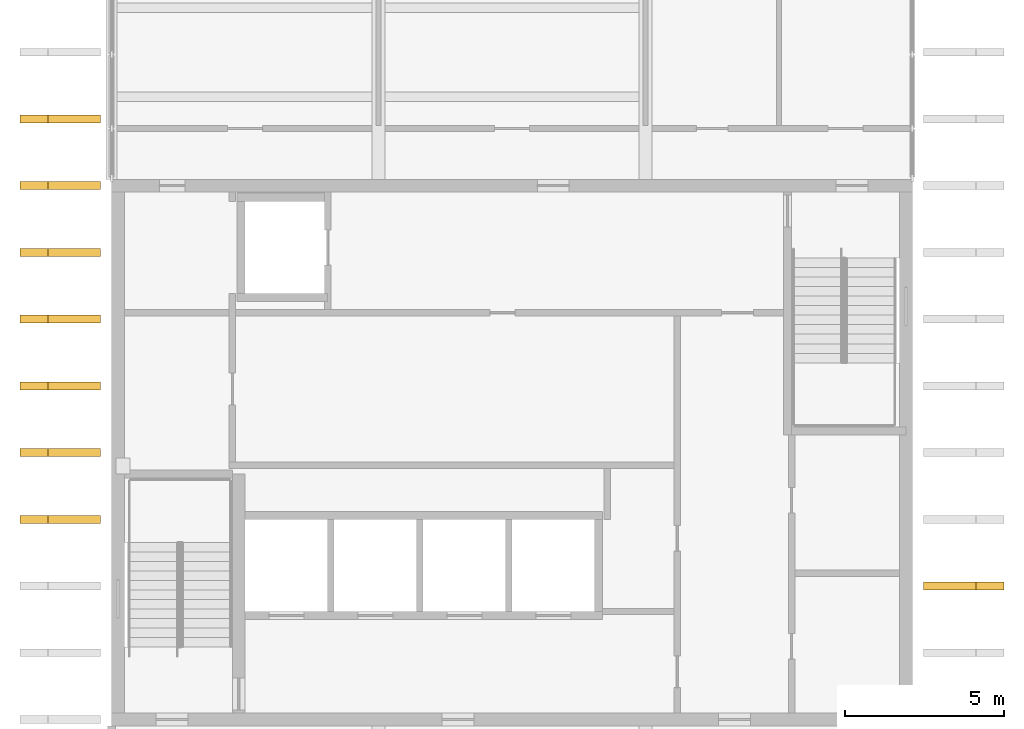
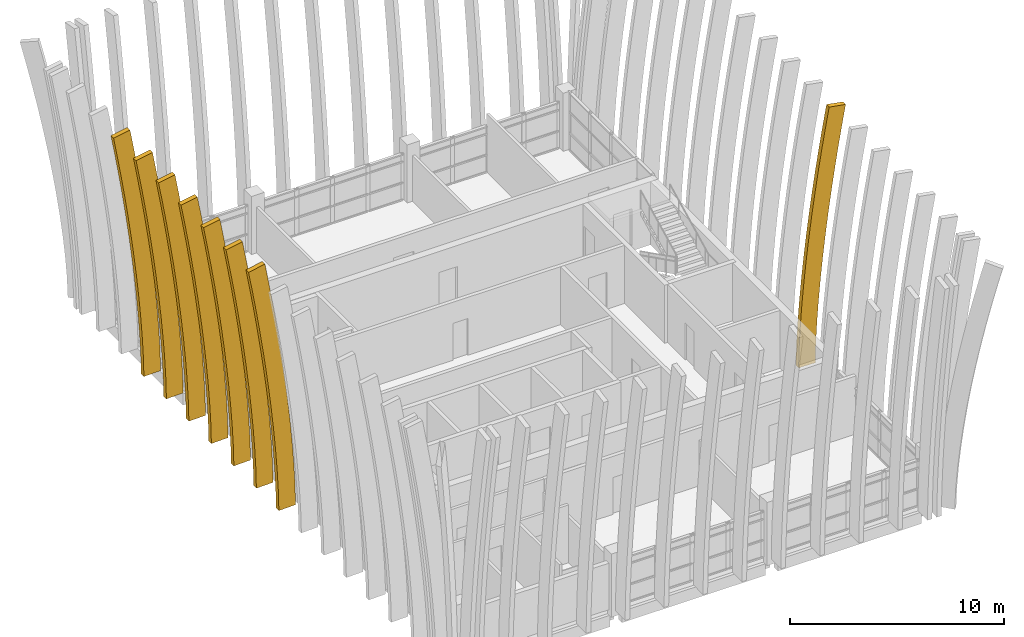
# One storey, part 13 of 19: 8 shading devices.
"""IFC4 building model written with IfcOpenShell, lengths in metres."""

import ifcopenshell
import ifcopenshell.guid

model = None  # the IFC model being written
_history = None  # IfcOwnerHistory: only IFC2X3 demands one
_inside = {}  # id of a spatial element -> (the spatial element, [elements in it])
_under = {}  # id of a project, library or spatial element -> (it, [spatial elements below it])
_declared = {}  # id of a project -> (the project, [libraries it declares])
_typed = {}  # id of a type object -> (the type object, [elements of that type])
_made_of = {}  # id of a material, layer set ... -> (it, [elements and type objects made of it])


def new_model(schema):
    """Start an empty IFC model of exactly this schema.

    Asked for "IFC4X3", IfcOpenShell would pick the latest addendum, in which some entities
    have other attributes; the version numbers below select the first issue.
    IFC2X3 requires an IfcOwnerHistory on every rooted entity: one is made here for all.
    """
    global model, _history
    if schema == "IFC4X3":
        model = ifcopenshell.file(schema_version=(4, 3, 0, 0))
    else:
        model = ifcopenshell.file(schema=schema)
    _inside.clear()
    _under.clear()
    _declared.clear()
    _typed.clear()
    _made_of.clear()
    _history = None
    if model.schema == "IFC2X3":
        org = make("IfcOrganization", Name="unknown")
        user = make(
            "IfcPersonAndOrganization",
            ThePerson=make("IfcPerson", FamilyName="unknown"),
            TheOrganization=org,
        )
        app = make(
            "IfcApplication",
            ApplicationDeveloper=org,
            Version="unknown",
            ApplicationFullName="unknown",
            ApplicationIdentifier="unknown",
        )
        _history = make(
            "IfcOwnerHistory",
            OwningUser=user,
            OwningApplication=app,
            ChangeAction="ADDED",
            CreationDate=0,
        )
    return model


def make(cls, **values):
    """One entity of the class cls with the attributes given. An attribute that is None is left unset."""
    return model.create_entity(
        cls, **{name: value for name, value in values.items() if value is not None}
    )


def rooted(cls, **values):
    """An entity with a GlobalId (a new one), such as an element, a storey or a relation."""
    return make(cls, GlobalId=ifcopenshell.guid.new(), OwnerHistory=_history, **values)


def si_unit(unit_type, name, prefix=None):
    """IfcSIUnit, for example si_unit("LENGTHUNIT", "METRE", prefix="MILLI")."""
    return make("IfcSIUnit", UnitType=unit_type, Prefix=prefix, Name=name)


def assignment(units):
    """IfcUnitAssignment: the units of a project."""
    return None if units is None else make("IfcUnitAssignment", Units=units)


def point(xyz):
    """IfcCartesianPoint."""
    return None if xyz is None else make("IfcCartesianPoint", Coordinates=xyz)


def direction(xyz):
    """IfcDirection."""
    return None if xyz is None else make("IfcDirection", DirectionRatios=xyz)


def frame(location, z_axis=None, x_axis=None):
    """IfcAxis2Placement3D, a coordinate frame: its origin and axes. An axis left out is left unset."""
    return make(
        "IfcAxis2Placement3D",
        Location=point(location),
        Axis=direction(z_axis),
        RefDirection=direction(x_axis),
    )


def frame_2d(location, x_axis=None):
    """IfcAxis2Placement2D, a coordinate frame in the plane: its origin and x axis."""
    return make(
        "IfcAxis2Placement2D", Location=point(location), RefDirection=direction(x_axis)
    )


def origin():
    """The frame at (0, 0, 0) with its axes left unset."""
    return frame((0.0, 0.0, 0.0))


def origin_2d():
    """The frame at (0, 0) in the plane with its x axis left unset."""
    return frame_2d((0.0, 0.0))


def place(relative_to, where):
    """IfcLocalPlacement: puts the frame where relative to a parent placement (None: the world)."""
    return make(
        "IfcLocalPlacement", PlacementRelTo=relative_to, RelativePlacement=where
    )


def context(
    kind, dimensions, precision=None, world=None, true_north=None, identifier=None
):
    """IfcGeometricRepresentationContext, for example the 3D "Model" context."""
    return make(
        "IfcGeometricRepresentationContext",
        ContextIdentifier=identifier,
        ContextType=kind,
        CoordinateSpaceDimension=dimensions,
        Precision=precision,
        WorldCoordinateSystem=world,
        TrueNorth=true_north,
    )


def subcontext(parent, identifier, kind, view, scale=None):
    """IfcGeometricRepresentationSubContext, for example "Body" below "Model"."""
    return make(
        "IfcGeometricRepresentationSubContext",
        ContextIdentifier=identifier,
        ContextType=kind,
        ParentContext=parent,
        TargetScale=scale,
        TargetView=view,
    )


def project(units=None, contexts=None):
    """IfcProject with its units and contexts."""
    return rooted(
        "IfcProject",
        Name="project",
        RepresentationContexts=contexts,
        UnitsInContext=assignment(units),
    )


def spatial(cls, under=None, at=None, **own):
    """A site, building, storey or space (cls), placed at a placement, below another one or the project."""
    s = rooted(cls, ObjectPlacement=at, **own)
    if under is not None:
        _under.setdefault(under.id(), (under, []))[1].append(s)
    return s


def profile(cls, at=None, kind="AREA", **sizes):
    """A parametric profile (cls). Its sizes go by their IFC names, for example OverallWidth=200.0."""
    return make(cls, ProfileType=kind, Position=at, **sizes)


def rectangle(**sizes):
    """IfcRectangleProfileDef."""
    return profile("IfcRectangleProfileDef", **sizes)


def faces_of(points, faces, orient=None, outer=None):
    """IfcFace entities. A face is a list of loops; a loop is a list of indices into points, from 0.

    orient and outer hold one flag for each loop. By default every Orientation is true, the
    first loop of a face is its IfcFaceOuterBound and the others are IfcFaceBound.
    """
    made = []
    for i, loops in enumerate(faces):
        bounds = []
        for j, loop in enumerate(loops):
            is_outer = j == 0 if outer is None else outer[i][j]
            bounds.append(
                make(
                    "IfcFaceOuterBound" if is_outer else "IfcFaceBound",
                    Bound=make("IfcPolyLoop", Polygon=[points[k] for k in loop]),
                    Orientation=True if orient is None else orient[i][j],
                )
            )
        made.append(make("IfcFace", Bounds=bounds))
    return made


def faceted_brep(points, faces, orient=None, outer=None, voids=None):
    """IfcFacetedBrep: a solid bounded by flat faces; with voids (closed shells), ...WithVoids."""
    shared = [point(p) for p in points]
    hull = make("IfcClosedShell", CfsFaces=faces_of(shared, faces, orient, outer))
    if voids is None:
        return make("IfcFacetedBrep", Outer=hull)
    return make(
        "IfcFacetedBrepWithVoids",
        Outer=hull,
        Voids=[
            make(cls, CfsFaces=faces_of(shared, fs, o, b)) for cls, fs, o, b in voids
        ],
    )


def shape(context_of_items, identifier, shape_type, items):
    """IfcShapeRepresentation: the items that make up one representation, for example the "Body"."""
    return make(
        "IfcShapeRepresentation",
        ContextOfItems=context_of_items,
        RepresentationIdentifier=identifier,
        RepresentationType=shape_type,
        Items=items,
    )


def material(Name=None, Category=None):
    """IfcMaterial."""
    return make("IfcMaterial", Name=Name, Category=Category)


def material_profile(
    of_material, cross_section, Name=None, Category=None, Priority=None
):
    """IfcMaterialProfile: a cross section and its material."""
    return make(
        "IfcMaterialProfile",
        Name=Name,
        Material=of_material,
        Profile=cross_section,
        Priority=Priority,
        Category=Category,
    )


def profile_set(profiles, Name=None, composite=None):
    """IfcMaterialProfileSet."""
    return make(
        "IfcMaterialProfileSet",
        Name=Name,
        MaterialProfiles=profiles,
        CompositeProfile=composite,
    )


def made_of(thing, what):
    """Note that an element or type object is made of a material, layer set ...; save() writes the relation."""
    if what is not None:
        _made_of.setdefault(what.id(), (what, []))[1].append(thing)
    return thing


def type_object(cls, material=None, **own):
    """A type object (cls), such as IfcWallType, which elements share."""
    return made_of(rooted(cls, **own), material)


def element(
    cls,
    number,
    at=None,
    inside=None,
    cuts=None,
    type_object=None,
    material=None,
    context=None,
    identifier="Body",
    shape_type=None,
    held_by="IfcProductDefinitionShape",
    body=None,
    shapes=None,
    **own,
):
    """One element of the class cls, such as IfcWall. Its Tag is "e" and its number.

    at: its placement. inside: the storey or other place that contains it. cuts: it is an
    opening in that element (IfcRelVoidsElement). A single representation is given by context,
    identifier, shape_type and body (its items); several are given by shapes. held_by: the class
    of the entity that holds the representations. save() writes the other relations.
    """
    e = rooted(cls, Tag="e%d" % number, ObjectPlacement=at, **own)
    if body is not None:
        shapes = [shape(context, identifier, shape_type, body)]
    if shapes is not None:
        e.Representation = make(held_by, Representations=shapes)
    if inside is not None:
        _inside.setdefault(inside.id(), (inside, []))[1].append(e)
    if cuts is not None:
        rooted(
            "IfcRelVoidsElement", RelatingBuildingElement=cuts, RelatedOpeningElement=e
        )
    if type_object is not None:
        _typed.setdefault(type_object.id(), (type_object, []))[1].append(e)
    return made_of(e, material)


def aggregate(whole, parts):
    """IfcRelAggregates: a whole, such as a stair, and the parts it consists of."""
    return rooted("IfcRelAggregates", RelatingObject=whole, RelatedObjects=parts)


def save(model, path):
    """Write the relations noted so far, then the file.

    IfcRelAggregates (storeys below a building ...), IfcRelContainedInSpatialStructure (elements
    in a storey), IfcRelDefinesByType, IfcRelAssociatesMaterial and IfcRelDeclares: one each for
    every whole, place, type object, material and project.
    """
    for whole, parts in _under.values():
        aggregate(whole, parts)
    for where, things in _inside.values():
        rooted(
            "IfcRelContainedInSpatialStructure",
            RelatedElements=things,
            RelatingStructure=where,
        )
    for kind, things in _typed.values():
        rooted("IfcRelDefinesByType", RelatedObjects=things, RelatingType=kind)
    for what, things in _made_of.values():
        rooted("IfcRelAssociatesMaterial", RelatedObjects=things, RelatingMaterial=what)
    for by, libraries in _declared.values():
        rooted("IfcRelDeclares", RelatingContext=by, RelatedDefinitions=libraries)
    model.write(path)


model = new_model("IFC4")

# Units and contexts
model_context = context("Model", 3, precision=1e-05, world=origin(), true_north=direction((0.0, 1.0)))
body_context = subcontext(model_context, "Body", "Model", "MODEL_VIEW")
ifc_project = project(units=[si_unit("LENGTHUNIT", "METRE"), si_unit("AREAUNIT", "SQUARE_METRE"), si_unit("VOLUMEUNIT", "CUBIC_METRE"), si_unit("PLANEANGLEUNIT", "RADIAN"), si_unit("MASSUNIT", "GRAM", prefix="KILO")], contexts=[model_context])

# Site, building, storey
site_placement = place(None, origin())
site = spatial("IfcSite", under=ifc_project, at=site_placement, CompositionType="ELEMENT")
building_placement = place(site_placement, origin())
building = spatial("IfcBuilding", under=site, at=building_placement, Name="Rulbaag Community and Learning Centre", CompositionType="ELEMENT")
storey_placement = place(building_placement, frame((0.0, 0.0, 57.60009765625)))
storey = spatial("IfcBuildingStorey", under=building, at=storey_placement, Name="L15", CompositionType="ELEMENT", Elevation=57.60009765625)

# Shading devices
ifc_material = material(Name="Concrete M40", Category="concrete")
ifc_material_profile = material_profile(ifc_material, rectangle(XDim=0.25, YDim=0.89990234375, at=origin_2d()), Name="PC 250x900")
ifc_profile_set = profile_set([ifc_material_profile], Name="Concrete M40")
shading_device_type = type_object("IfcShadingDeviceType", Name="FIN-H", PredefinedType="JALOUSIE", material=ifc_profile_set)
shading_device_1_placement = place(storey_placement, frame((0.0, 0.0, -57.60009765625)))
element("IfcShadingDevice", 1, at=shading_device_1_placement, inside=storey, type_object=shading_device_type, Name="Precast crown fin", PredefinedType="JALOUSIE", context=body_context, shape_type="Brep", body=[
    faceted_brep([(141.550048828125, 98.574951171875, 57.587646484375), (141.550048828125, 98.824951171875, 57.587646484375), (142.449951171875, 98.824951171875, 57.611083984375), (142.449951171875, 98.574951171875, 57.611083984375), (140.80029296875, 98.574951171875, 71.898193359375), (140.80029296875, 98.824951171875, 71.898193359375), (139.91455078125, 98.824951171875, 71.738525390625), (139.91455078125, 98.574951171875, 71.738525390625), (142.419189453125, 98.824951171875, 58.790771484375), (142.419189453125, 98.574951171875, 58.790771484375), (141.519775390625, 98.824951171875, 58.755126953125), (141.519775390625, 98.574951171875, 58.755126953125), (142.356201171875, 98.824951171875, 59.983154296875), (142.356201171875, 98.574951171875, 59.983154296875), (141.457763671875, 98.824951171875, 59.927001953125), (141.457763671875, 98.574951171875, 59.927001953125), (142.2705078125, 98.824951171875, 61.1748046875), (142.2705078125, 98.574951171875, 61.1748046875), (141.37353515625, 98.824951171875, 61.10302734375), (141.37353515625, 98.574951171875, 61.10302734375), (142.16552734375, 98.824951171875, 62.36669921875), (142.16552734375, 98.574951171875, 62.36669921875), (141.26953125, 98.824951171875, 62.28125), (141.26953125, 98.574951171875, 62.28125), (142.04345703125, 98.824951171875, 63.558349609375), (142.04345703125, 98.574951171875, 63.558349609375), (141.14892578125, 98.824951171875, 63.460693359375), (141.14892578125, 98.574951171875, 63.460693359375), (141.90576171875, 98.824951171875, 64.75), (141.90576171875, 98.574951171875, 64.75), (141.01220703125, 98.824951171875, 64.64111328125), (141.01220703125, 98.574951171875, 64.64111328125), (141.75341796875, 98.824951171875, 65.941650390625), (141.75341796875, 98.574951171875, 65.941650390625), (140.861328125, 98.824951171875, 65.822509765625), (140.861328125, 98.574951171875, 65.822509765625), (141.58740234375, 98.824951171875, 67.13330078125), (141.58740234375, 98.574951171875, 67.13330078125), (140.69677734375, 98.824951171875, 67.00439453125), (140.69677734375, 98.574951171875, 67.00439453125), (141.40869140625, 98.824951171875, 68.324951171875), (141.40869140625, 98.574951171875, 68.324951171875), (140.51953125, 98.824951171875, 68.186767578125), (140.51953125, 98.574951171875, 68.186767578125), (141.21728515625, 98.824951171875, 69.5166015625), (141.21728515625, 98.574951171875, 69.5166015625), (140.32958984375, 98.824951171875, 69.36962890625), (140.32958984375, 98.574951171875, 69.36962890625), (141.0146484375, 98.824951171875, 70.708251953125), (141.0146484375, 98.574951171875, 70.708251953125), (140.1279296875, 98.824951171875, 70.552978515625), (140.1279296875, 98.574951171875, 70.552978515625)], [[[0, 1, 2, 3]], [[4, 5, 6, 7]], [[3, 2, 8, 9]], [[2, 1, 10, 8]], [[1, 0, 11, 10]], [[0, 3, 9, 11]], [[9, 8, 12, 13]], [[8, 10, 14, 12]], [[10, 11, 15, 14]], [[11, 9, 13, 15]], [[13, 12, 16, 17]], [[12, 14, 18, 16]], [[14, 15, 19, 18]], [[15, 13, 17, 19]], [[17, 16, 20, 21]], [[16, 18, 22, 20]], [[18, 19, 23, 22]], [[19, 17, 21, 23]], [[21, 20, 24, 25]], [[20, 22, 26, 24]], [[22, 23, 27, 26]], [[23, 21, 25, 27]], [[25, 24, 28, 29]], [[24, 26, 30, 28]], [[26, 27, 31, 30]], [[27, 25, 29, 31]], [[29, 28, 32, 33]], [[28, 30, 34, 32]], [[30, 31, 35, 34]], [[31, 29, 33, 35]], [[33, 32, 36, 37]], [[32, 34, 38, 36]], [[34, 35, 39, 38]], [[35, 33, 37, 39]], [[37, 36, 40, 41]], [[36, 38, 42, 40]], [[38, 39, 43, 42]], [[39, 37, 41, 43]], [[41, 40, 44, 45]], [[40, 42, 46, 44]], [[42, 43, 47, 46]], [[43, 41, 45, 47]], [[45, 44, 48, 49]], [[44, 46, 50, 48]], [[46, 47, 51, 50]], [[47, 45, 49, 51]], [[49, 48, 5, 4]], [[48, 50, 6, 5]], [[50, 51, 7, 6]], [[51, 49, 4, 7]]]),
])
shading_device_2_placement = place(storey_placement, frame((0.0, 0.0, -57.60009765625)))
element("IfcShadingDevice", 2, at=shading_device_2_placement, inside=storey, type_object=shading_device_type, Name="Precast crown fin", PredefinedType="JALOUSIE", context=body_context, shape_type="Brep", body=[
    faceted_brep([(141.550048828125, 100.675048828125, 57.587646484375), (141.550048828125, 100.925048828125, 57.587646484375), (142.449951171875, 100.925048828125, 57.611083984375), (142.449951171875, 100.675048828125, 57.611083984375), (140.80029296875, 100.675048828125, 71.898193359375), (140.80029296875, 100.925048828125, 71.898193359375), (139.91455078125, 100.925048828125, 71.738525390625), (139.91455078125, 100.675048828125, 71.738525390625), (142.419189453125, 100.925048828125, 58.790771484375), (142.419189453125, 100.675048828125, 58.790771484375), (141.519775390625, 100.925048828125, 58.755126953125), (141.519775390625, 100.675048828125, 58.755126953125), (142.356201171875, 100.925048828125, 59.983154296875), (142.356201171875, 100.675048828125, 59.983154296875), (141.457763671875, 100.925048828125, 59.927001953125), (141.457763671875, 100.675048828125, 59.927001953125), (142.2705078125, 100.925048828125, 61.1748046875), (142.2705078125, 100.675048828125, 61.1748046875), (141.37353515625, 100.925048828125, 61.10302734375), (141.37353515625, 100.675048828125, 61.10302734375), (142.16552734375, 100.925048828125, 62.36669921875), (142.16552734375, 100.675048828125, 62.36669921875), (141.26953125, 100.925048828125, 62.28125), (141.26953125, 100.675048828125, 62.28125), (142.04345703125, 100.925048828125, 63.558349609375), (142.04345703125, 100.675048828125, 63.558349609375), (141.14892578125, 100.925048828125, 63.460693359375), (141.14892578125, 100.675048828125, 63.460693359375), (141.90576171875, 100.925048828125, 64.75), (141.90576171875, 100.675048828125, 64.75), (141.01220703125, 100.925048828125, 64.64111328125), (141.01220703125, 100.675048828125, 64.64111328125), (141.75341796875, 100.925048828125, 65.941650390625), (141.75341796875, 100.675048828125, 65.941650390625), (140.861328125, 100.925048828125, 65.822509765625), (140.861328125, 100.675048828125, 65.822509765625), (141.58740234375, 100.925048828125, 67.13330078125), (141.58740234375, 100.675048828125, 67.13330078125), (140.69677734375, 100.925048828125, 67.00439453125), (140.69677734375, 100.675048828125, 67.00439453125), (141.40869140625, 100.925048828125, 68.324951171875), (141.40869140625, 100.675048828125, 68.324951171875), (140.51953125, 100.925048828125, 68.186767578125), (140.51953125, 100.675048828125, 68.186767578125), (141.21728515625, 100.925048828125, 69.5166015625), (141.21728515625, 100.675048828125, 69.5166015625), (140.32958984375, 100.925048828125, 69.36962890625), (140.32958984375, 100.675048828125, 69.36962890625), (141.0146484375, 100.925048828125, 70.708251953125), (141.0146484375, 100.675048828125, 70.708251953125), (140.1279296875, 100.925048828125, 70.552978515625), (140.1279296875, 100.675048828125, 70.552978515625)], [[[0, 1, 2, 3]], [[4, 5, 6, 7]], [[3, 2, 8, 9]], [[2, 1, 10, 8]], [[1, 0, 11, 10]], [[0, 3, 9, 11]], [[9, 8, 12, 13]], [[8, 10, 14, 12]], [[10, 11, 15, 14]], [[11, 9, 13, 15]], [[13, 12, 16, 17]], [[12, 14, 18, 16]], [[14, 15, 19, 18]], [[15, 13, 17, 19]], [[17, 16, 20, 21]], [[16, 18, 22, 20]], [[18, 19, 23, 22]], [[19, 17, 21, 23]], [[21, 20, 24, 25]], [[20, 22, 26, 24]], [[22, 23, 27, 26]], [[23, 21, 25, 27]], [[25, 24, 28, 29]], [[24, 26, 30, 28]], [[26, 27, 31, 30]], [[27, 25, 29, 31]], [[29, 28, 32, 33]], [[28, 30, 34, 32]], [[30, 31, 35, 34]], [[31, 29, 33, 35]], [[33, 32, 36, 37]], [[32, 34, 38, 36]], [[34, 35, 39, 38]], [[35, 33, 37, 39]], [[37, 36, 40, 41]], [[36, 38, 42, 40]], [[38, 39, 43, 42]], [[39, 37, 41, 43]], [[41, 40, 44, 45]], [[40, 42, 46, 44]], [[42, 43, 47, 46]], [[43, 41, 45, 47]], [[45, 44, 48, 49]], [[44, 46, 50, 48]], [[46, 47, 51, 50]], [[47, 45, 49, 51]], [[49, 48, 5, 4]], [[48, 50, 6, 5]], [[50, 51, 7, 6]], [[51, 49, 4, 7]]]),
])
shading_device_3_placement = place(storey_placement, frame((0.0, 0.0, -57.60009765625)))
element("IfcShadingDevice", 3, at=shading_device_3_placement, inside=storey, type_object=shading_device_type, Name="Precast crown fin", PredefinedType="JALOUSIE", context=body_context, shape_type="Brep", body=[
    faceted_brep([(141.550048828125, 102.77490234375, 57.587646484375), (141.550048828125, 103.02490234375, 57.587646484375), (142.449951171875, 103.02490234375, 57.611083984375), (142.449951171875, 102.77490234375, 57.611083984375), (140.80029296875, 102.77490234375, 71.898193359375), (140.80029296875, 103.02490234375, 71.898193359375), (139.91455078125, 103.02490234375, 71.738525390625), (139.91455078125, 102.77490234375, 71.738525390625), (142.419189453125, 103.02490234375, 58.790771484375), (142.419189453125, 102.77490234375, 58.790771484375), (141.519775390625, 103.02490234375, 58.755126953125), (141.519775390625, 102.77490234375, 58.755126953125), (142.356201171875, 103.02490234375, 59.983154296875), (142.356201171875, 102.77490234375, 59.983154296875), (141.457763671875, 103.02490234375, 59.927001953125), (141.457763671875, 102.77490234375, 59.927001953125), (142.2705078125, 103.02490234375, 61.1748046875), (142.2705078125, 102.77490234375, 61.1748046875), (141.37353515625, 103.02490234375, 61.10302734375), (141.37353515625, 102.77490234375, 61.10302734375), (142.16552734375, 103.02490234375, 62.36669921875), (142.16552734375, 102.77490234375, 62.36669921875), (141.26953125, 103.02490234375, 62.28125), (141.26953125, 102.77490234375, 62.28125), (142.04345703125, 103.02490234375, 63.558349609375), (142.04345703125, 102.77490234375, 63.558349609375), (141.14892578125, 103.02490234375, 63.460693359375), (141.14892578125, 102.77490234375, 63.460693359375), (141.90576171875, 103.02490234375, 64.75), (141.90576171875, 102.77490234375, 64.75), (141.01220703125, 103.02490234375, 64.64111328125), (141.01220703125, 102.77490234375, 64.64111328125), (141.75341796875, 103.02490234375, 65.941650390625), (141.75341796875, 102.77490234375, 65.941650390625), (140.861328125, 103.02490234375, 65.822509765625), (140.861328125, 102.77490234375, 65.822509765625), (141.58740234375, 103.02490234375, 67.13330078125), (141.58740234375, 102.77490234375, 67.13330078125), (140.69677734375, 103.02490234375, 67.00439453125), (140.69677734375, 102.77490234375, 67.00439453125), (141.40869140625, 103.02490234375, 68.324951171875), (141.40869140625, 102.77490234375, 68.324951171875), (140.51953125, 103.02490234375, 68.186767578125), (140.51953125, 102.77490234375, 68.186767578125), (141.21728515625, 103.02490234375, 69.5166015625), (141.21728515625, 102.77490234375, 69.5166015625), (140.32958984375, 103.02490234375, 69.36962890625), (140.32958984375, 102.77490234375, 69.36962890625), (141.0146484375, 103.02490234375, 70.708251953125), (141.0146484375, 102.77490234375, 70.708251953125), (140.1279296875, 103.02490234375, 70.552978515625), (140.1279296875, 102.77490234375, 70.552978515625)], [[[0, 1, 2, 3]], [[4, 5, 6, 7]], [[3, 2, 8, 9]], [[2, 1, 10, 8]], [[1, 0, 11, 10]], [[0, 3, 9, 11]], [[9, 8, 12, 13]], [[8, 10, 14, 12]], [[10, 11, 15, 14]], [[11, 9, 13, 15]], [[13, 12, 16, 17]], [[12, 14, 18, 16]], [[14, 15, 19, 18]], [[15, 13, 17, 19]], [[17, 16, 20, 21]], [[16, 18, 22, 20]], [[18, 19, 23, 22]], [[19, 17, 21, 23]], [[21, 20, 24, 25]], [[20, 22, 26, 24]], [[22, 23, 27, 26]], [[23, 21, 25, 27]], [[25, 24, 28, 29]], [[24, 26, 30, 28]], [[26, 27, 31, 30]], [[27, 25, 29, 31]], [[29, 28, 32, 33]], [[28, 30, 34, 32]], [[30, 31, 35, 34]], [[31, 29, 33, 35]], [[33, 32, 36, 37]], [[32, 34, 38, 36]], [[34, 35, 39, 38]], [[35, 33, 37, 39]], [[37, 36, 40, 41]], [[36, 38, 42, 40]], [[38, 39, 43, 42]], [[39, 37, 41, 43]], [[41, 40, 44, 45]], [[40, 42, 46, 44]], [[42, 43, 47, 46]], [[43, 41, 45, 47]], [[45, 44, 48, 49]], [[44, 46, 50, 48]], [[46, 47, 51, 50]], [[47, 45, 49, 51]], [[49, 48, 5, 4]], [[48, 50, 6, 5]], [[50, 51, 7, 6]], [[51, 49, 4, 7]]]),
])
shading_device_4_placement = place(storey_placement, frame((0.0, 0.0, -57.60009765625)))
element("IfcShadingDevice", 4, at=shading_device_4_placement, inside=storey, type_object=shading_device_type, Name="Precast crown fin", PredefinedType="JALOUSIE", context=body_context, shape_type="Brep", body=[
    faceted_brep([(141.550048828125, 104.875, 57.587646484375), (141.550048828125, 105.125, 57.587646484375), (142.449951171875, 105.125, 57.611083984375), (142.449951171875, 104.875, 57.611083984375), (140.80029296875, 104.875, 71.898193359375), (140.80029296875, 105.125, 71.898193359375), (139.91455078125, 105.125, 71.738525390625), (139.91455078125, 104.875, 71.738525390625), (142.419189453125, 105.125, 58.790771484375), (142.419189453125, 104.875, 58.790771484375), (141.519775390625, 105.125, 58.755126953125), (141.519775390625, 104.875, 58.755126953125), (142.356201171875, 105.125, 59.983154296875), (142.356201171875, 104.875, 59.983154296875), (141.457763671875, 105.125, 59.927001953125), (141.457763671875, 104.875, 59.927001953125), (142.2705078125, 105.125, 61.1748046875), (142.2705078125, 104.875, 61.1748046875), (141.37353515625, 105.125, 61.10302734375), (141.37353515625, 104.875, 61.10302734375), (142.16552734375, 105.125, 62.36669921875), (142.16552734375, 104.875, 62.36669921875), (141.26953125, 105.125, 62.28125), (141.26953125, 104.875, 62.28125), (142.04345703125, 105.125, 63.558349609375), (142.04345703125, 104.875, 63.558349609375), (141.14892578125, 105.125, 63.460693359375), (141.14892578125, 104.875, 63.460693359375), (141.90576171875, 105.125, 64.75), (141.90576171875, 104.875, 64.75), (141.01220703125, 105.125, 64.64111328125), (141.01220703125, 104.875, 64.64111328125), (141.75341796875, 105.125, 65.941650390625), (141.75341796875, 104.875, 65.941650390625), (140.861328125, 105.125, 65.822509765625), (140.861328125, 104.875, 65.822509765625), (141.58740234375, 105.125, 67.13330078125), (141.58740234375, 104.875, 67.13330078125), (140.69677734375, 105.125, 67.00439453125), (140.69677734375, 104.875, 67.00439453125), (141.40869140625, 105.125, 68.324951171875), (141.40869140625, 104.875, 68.324951171875), (140.51953125, 105.125, 68.186767578125), (140.51953125, 104.875, 68.186767578125), (141.21728515625, 105.125, 69.5166015625), (141.21728515625, 104.875, 69.5166015625), (140.32958984375, 105.125, 69.36962890625), (140.32958984375, 104.875, 69.36962890625), (141.0146484375, 105.125, 70.708251953125), (141.0146484375, 104.875, 70.708251953125), (140.1279296875, 105.125, 70.552978515625), (140.1279296875, 104.875, 70.552978515625)], [[[0, 1, 2, 3]], [[4, 5, 6, 7]], [[3, 2, 8, 9]], [[2, 1, 10, 8]], [[1, 0, 11, 10]], [[0, 3, 9, 11]], [[9, 8, 12, 13]], [[8, 10, 14, 12]], [[10, 11, 15, 14]], [[11, 9, 13, 15]], [[13, 12, 16, 17]], [[12, 14, 18, 16]], [[14, 15, 19, 18]], [[15, 13, 17, 19]], [[17, 16, 20, 21]], [[16, 18, 22, 20]], [[18, 19, 23, 22]], [[19, 17, 21, 23]], [[21, 20, 24, 25]], [[20, 22, 26, 24]], [[22, 23, 27, 26]], [[23, 21, 25, 27]], [[25, 24, 28, 29]], [[24, 26, 30, 28]], [[26, 27, 31, 30]], [[27, 25, 29, 31]], [[29, 28, 32, 33]], [[28, 30, 34, 32]], [[30, 31, 35, 34]], [[31, 29, 33, 35]], [[33, 32, 36, 37]], [[32, 34, 38, 36]], [[34, 35, 39, 38]], [[35, 33, 37, 39]], [[37, 36, 40, 41]], [[36, 38, 42, 40]], [[38, 39, 43, 42]], [[39, 37, 41, 43]], [[41, 40, 44, 45]], [[40, 42, 46, 44]], [[42, 43, 47, 46]], [[43, 41, 45, 47]], [[45, 44, 48, 49]], [[44, 46, 50, 48]], [[46, 47, 51, 50]], [[47, 45, 49, 51]], [[49, 48, 5, 4]], [[48, 50, 6, 5]], [[50, 51, 7, 6]], [[51, 49, 4, 7]]]),
])
shading_device_5_placement = place(storey_placement, frame((0.0, 0.0, -57.60009765625)))
element("IfcShadingDevice", 5, at=shading_device_5_placement, inside=storey, type_object=shading_device_type, Name="Precast crown fin", PredefinedType="JALOUSIE", context=body_context, shape_type="Brep", body=[
    faceted_brep([(141.550048828125, 106.97509765625, 57.587646484375), (141.550048828125, 107.22509765625, 57.587646484375), (142.449951171875, 107.22509765625, 57.611083984375), (142.449951171875, 106.97509765625, 57.611083984375), (140.80029296875, 106.97509765625, 71.898193359375), (140.80029296875, 107.22509765625, 71.898193359375), (139.91455078125, 107.22509765625, 71.738525390625), (139.91455078125, 106.97509765625, 71.738525390625), (142.419189453125, 107.22509765625, 58.790771484375), (142.419189453125, 106.97509765625, 58.790771484375), (141.519775390625, 107.22509765625, 58.755126953125), (141.519775390625, 106.97509765625, 58.755126953125), (142.356201171875, 107.22509765625, 59.983154296875), (142.356201171875, 106.97509765625, 59.983154296875), (141.457763671875, 107.22509765625, 59.927001953125), (141.457763671875, 106.97509765625, 59.927001953125), (142.2705078125, 107.22509765625, 61.1748046875), (142.2705078125, 106.97509765625, 61.1748046875), (141.37353515625, 107.22509765625, 61.10302734375), (141.37353515625, 106.97509765625, 61.10302734375), (142.16552734375, 107.22509765625, 62.36669921875), (142.16552734375, 106.97509765625, 62.36669921875), (141.26953125, 107.22509765625, 62.28125), (141.26953125, 106.97509765625, 62.28125), (142.04345703125, 107.22509765625, 63.558349609375), (142.04345703125, 106.97509765625, 63.558349609375), (141.14892578125, 107.22509765625, 63.460693359375), (141.14892578125, 106.97509765625, 63.460693359375), (141.90576171875, 107.22509765625, 64.75), (141.90576171875, 106.97509765625, 64.75), (141.01220703125, 107.22509765625, 64.64111328125), (141.01220703125, 106.97509765625, 64.64111328125), (141.75341796875, 107.22509765625, 65.941650390625), (141.75341796875, 106.97509765625, 65.941650390625), (140.861328125, 107.22509765625, 65.822509765625), (140.861328125, 106.97509765625, 65.822509765625), (141.58740234375, 107.22509765625, 67.13330078125), (141.58740234375, 106.97509765625, 67.13330078125), (140.69677734375, 107.22509765625, 67.00439453125), (140.69677734375, 106.97509765625, 67.00439453125), (141.40869140625, 107.22509765625, 68.324951171875), (141.40869140625, 106.97509765625, 68.324951171875), (140.51953125, 107.22509765625, 68.186767578125), (140.51953125, 106.97509765625, 68.186767578125), (141.21728515625, 107.22509765625, 69.5166015625), (141.21728515625, 106.97509765625, 69.5166015625), (140.32958984375, 107.22509765625, 69.36962890625), (140.32958984375, 106.97509765625, 69.36962890625), (141.0146484375, 107.22509765625, 70.708251953125), (141.0146484375, 106.97509765625, 70.708251953125), (140.1279296875, 107.22509765625, 70.552978515625), (140.1279296875, 106.97509765625, 70.552978515625)], [[[0, 1, 2, 3]], [[4, 5, 6, 7]], [[3, 2, 8, 9]], [[2, 1, 10, 8]], [[1, 0, 11, 10]], [[0, 3, 9, 11]], [[9, 8, 12, 13]], [[8, 10, 14, 12]], [[10, 11, 15, 14]], [[11, 9, 13, 15]], [[13, 12, 16, 17]], [[12, 14, 18, 16]], [[14, 15, 19, 18]], [[15, 13, 17, 19]], [[17, 16, 20, 21]], [[16, 18, 22, 20]], [[18, 19, 23, 22]], [[19, 17, 21, 23]], [[21, 20, 24, 25]], [[20, 22, 26, 24]], [[22, 23, 27, 26]], [[23, 21, 25, 27]], [[25, 24, 28, 29]], [[24, 26, 30, 28]], [[26, 27, 31, 30]], [[27, 25, 29, 31]], [[29, 28, 32, 33]], [[28, 30, 34, 32]], [[30, 31, 35, 34]], [[31, 29, 33, 35]], [[33, 32, 36, 37]], [[32, 34, 38, 36]], [[34, 35, 39, 38]], [[35, 33, 37, 39]], [[37, 36, 40, 41]], [[36, 38, 42, 40]], [[38, 39, 43, 42]], [[39, 37, 41, 43]], [[41, 40, 44, 45]], [[40, 42, 46, 44]], [[42, 43, 47, 46]], [[43, 41, 45, 47]], [[45, 44, 48, 49]], [[44, 46, 50, 48]], [[46, 47, 51, 50]], [[47, 45, 49, 51]], [[49, 48, 5, 4]], [[48, 50, 6, 5]], [[50, 51, 7, 6]], [[51, 49, 4, 7]]]),
])
shading_device_6_placement = place(storey_placement, frame((0.0, 0.0, -57.60009765625)))
element("IfcShadingDevice", 6, at=shading_device_6_placement, inside=storey, type_object=shading_device_type, Name="Precast crown fin", PredefinedType="JALOUSIE", context=body_context, shape_type="Brep", body=[
    faceted_brep([(141.550048828125, 109.074951171875, 57.587646484375), (141.550048828125, 109.324951171875, 57.587646484375), (142.449951171875, 109.324951171875, 57.611083984375), (142.449951171875, 109.074951171875, 57.611083984375), (140.80029296875, 109.074951171875, 71.898193359375), (140.80029296875, 109.324951171875, 71.898193359375), (139.91455078125, 109.324951171875, 71.738525390625), (139.91455078125, 109.074951171875, 71.738525390625), (142.419189453125, 109.324951171875, 58.790771484375), (142.419189453125, 109.074951171875, 58.790771484375), (141.519775390625, 109.324951171875, 58.755126953125), (141.519775390625, 109.074951171875, 58.755126953125), (142.356201171875, 109.324951171875, 59.983154296875), (142.356201171875, 109.074951171875, 59.983154296875), (141.457763671875, 109.324951171875, 59.927001953125), (141.457763671875, 109.074951171875, 59.927001953125), (142.2705078125, 109.324951171875, 61.1748046875), (142.2705078125, 109.074951171875, 61.1748046875), (141.37353515625, 109.324951171875, 61.10302734375), (141.37353515625, 109.074951171875, 61.10302734375), (142.16552734375, 109.324951171875, 62.36669921875), (142.16552734375, 109.074951171875, 62.36669921875), (141.26953125, 109.324951171875, 62.28125), (141.26953125, 109.074951171875, 62.28125), (142.04345703125, 109.324951171875, 63.558349609375), (142.04345703125, 109.074951171875, 63.558349609375), (141.14892578125, 109.324951171875, 63.460693359375), (141.14892578125, 109.074951171875, 63.460693359375), (141.90576171875, 109.324951171875, 64.75), (141.90576171875, 109.074951171875, 64.75), (141.01220703125, 109.324951171875, 64.64111328125), (141.01220703125, 109.074951171875, 64.64111328125), (141.75341796875, 109.324951171875, 65.941650390625), (141.75341796875, 109.074951171875, 65.941650390625), (140.861328125, 109.324951171875, 65.822509765625), (140.861328125, 109.074951171875, 65.822509765625), (141.58740234375, 109.324951171875, 67.13330078125), (141.58740234375, 109.074951171875, 67.13330078125), (140.69677734375, 109.324951171875, 67.00439453125), (140.69677734375, 109.074951171875, 67.00439453125), (141.40869140625, 109.324951171875, 68.324951171875), (141.40869140625, 109.074951171875, 68.324951171875), (140.51953125, 109.324951171875, 68.186767578125), (140.51953125, 109.074951171875, 68.186767578125), (141.21728515625, 109.324951171875, 69.5166015625), (141.21728515625, 109.074951171875, 69.5166015625), (140.32958984375, 109.324951171875, 69.36962890625), (140.32958984375, 109.074951171875, 69.36962890625), (141.0146484375, 109.324951171875, 70.708251953125), (141.0146484375, 109.074951171875, 70.708251953125), (140.1279296875, 109.324951171875, 70.552978515625), (140.1279296875, 109.074951171875, 70.552978515625)], [[[0, 1, 2, 3]], [[4, 5, 6, 7]], [[3, 2, 8, 9]], [[2, 1, 10, 8]], [[1, 0, 11, 10]], [[0, 3, 9, 11]], [[9, 8, 12, 13]], [[8, 10, 14, 12]], [[10, 11, 15, 14]], [[11, 9, 13, 15]], [[13, 12, 16, 17]], [[12, 14, 18, 16]], [[14, 15, 19, 18]], [[15, 13, 17, 19]], [[17, 16, 20, 21]], [[16, 18, 22, 20]], [[18, 19, 23, 22]], [[19, 17, 21, 23]], [[21, 20, 24, 25]], [[20, 22, 26, 24]], [[22, 23, 27, 26]], [[23, 21, 25, 27]], [[25, 24, 28, 29]], [[24, 26, 30, 28]], [[26, 27, 31, 30]], [[27, 25, 29, 31]], [[29, 28, 32, 33]], [[28, 30, 34, 32]], [[30, 31, 35, 34]], [[31, 29, 33, 35]], [[33, 32, 36, 37]], [[32, 34, 38, 36]], [[34, 35, 39, 38]], [[35, 33, 37, 39]], [[37, 36, 40, 41]], [[36, 38, 42, 40]], [[38, 39, 43, 42]], [[39, 37, 41, 43]], [[41, 40, 44, 45]], [[40, 42, 46, 44]], [[42, 43, 47, 46]], [[43, 41, 45, 47]], [[45, 44, 48, 49]], [[44, 46, 50, 48]], [[46, 47, 51, 50]], [[47, 45, 49, 51]], [[49, 48, 5, 4]], [[48, 50, 6, 5]], [[50, 51, 7, 6]], [[51, 49, 4, 7]]]),
])
shading_device_7_placement = place(storey_placement, frame((0.0, 0.0, -57.60009765625)))
element("IfcShadingDevice", 7, at=shading_device_7_placement, inside=storey, type_object=shading_device_type, Name="Precast crown fin", PredefinedType="JALOUSIE", context=body_context, shape_type="Brep", body=[
    faceted_brep([(141.550048828125, 111.175048828125, 57.587646484375), (141.550048828125, 111.425048828125, 57.587646484375), (142.449951171875, 111.425048828125, 57.611083984375), (142.449951171875, 111.175048828125, 57.611083984375), (140.80029296875, 111.175048828125, 71.898193359375), (140.80029296875, 111.425048828125, 71.898193359375), (139.91455078125, 111.425048828125, 71.738525390625), (139.91455078125, 111.175048828125, 71.738525390625), (142.419189453125, 111.425048828125, 58.790771484375), (142.419189453125, 111.175048828125, 58.790771484375), (141.519775390625, 111.425048828125, 58.755126953125), (141.519775390625, 111.175048828125, 58.755126953125), (142.356201171875, 111.425048828125, 59.983154296875), (142.356201171875, 111.175048828125, 59.983154296875), (141.457763671875, 111.425048828125, 59.927001953125), (141.457763671875, 111.175048828125, 59.927001953125), (142.2705078125, 111.425048828125, 61.1748046875), (142.2705078125, 111.175048828125, 61.1748046875), (141.37353515625, 111.425048828125, 61.10302734375), (141.37353515625, 111.175048828125, 61.10302734375), (142.16552734375, 111.425048828125, 62.36669921875), (142.16552734375, 111.175048828125, 62.36669921875), (141.26953125, 111.425048828125, 62.28125), (141.26953125, 111.175048828125, 62.28125), (142.04345703125, 111.425048828125, 63.558349609375), (142.04345703125, 111.175048828125, 63.558349609375), (141.14892578125, 111.425048828125, 63.460693359375), (141.14892578125, 111.175048828125, 63.460693359375), (141.90576171875, 111.425048828125, 64.75), (141.90576171875, 111.175048828125, 64.75), (141.01220703125, 111.425048828125, 64.64111328125), (141.01220703125, 111.175048828125, 64.64111328125), (141.75341796875, 111.425048828125, 65.941650390625), (141.75341796875, 111.175048828125, 65.941650390625), (140.861328125, 111.425048828125, 65.822509765625), (140.861328125, 111.175048828125, 65.822509765625), (141.58740234375, 111.425048828125, 67.13330078125), (141.58740234375, 111.175048828125, 67.13330078125), (140.69677734375, 111.425048828125, 67.00439453125), (140.69677734375, 111.175048828125, 67.00439453125), (141.40869140625, 111.425048828125, 68.324951171875), (141.40869140625, 111.175048828125, 68.324951171875), (140.51953125, 111.425048828125, 68.186767578125), (140.51953125, 111.175048828125, 68.186767578125), (141.21728515625, 111.425048828125, 69.5166015625), (141.21728515625, 111.175048828125, 69.5166015625), (140.32958984375, 111.425048828125, 69.36962890625), (140.32958984375, 111.175048828125, 69.36962890625), (141.0146484375, 111.425048828125, 70.708251953125), (141.0146484375, 111.175048828125, 70.708251953125), (140.1279296875, 111.425048828125, 70.552978515625), (140.1279296875, 111.175048828125, 70.552978515625)], [[[0, 1, 2, 3]], [[4, 5, 6, 7]], [[3, 2, 8, 9]], [[2, 1, 10, 8]], [[1, 0, 11, 10]], [[0, 3, 9, 11]], [[9, 8, 12, 13]], [[8, 10, 14, 12]], [[10, 11, 15, 14]], [[11, 9, 13, 15]], [[13, 12, 16, 17]], [[12, 14, 18, 16]], [[14, 15, 19, 18]], [[15, 13, 17, 19]], [[17, 16, 20, 21]], [[16, 18, 22, 20]], [[18, 19, 23, 22]], [[19, 17, 21, 23]], [[21, 20, 24, 25]], [[20, 22, 26, 24]], [[22, 23, 27, 26]], [[23, 21, 25, 27]], [[25, 24, 28, 29]], [[24, 26, 30, 28]], [[26, 27, 31, 30]], [[27, 25, 29, 31]], [[29, 28, 32, 33]], [[28, 30, 34, 32]], [[30, 31, 35, 34]], [[31, 29, 33, 35]], [[33, 32, 36, 37]], [[32, 34, 38, 36]], [[34, 35, 39, 38]], [[35, 33, 37, 39]], [[37, 36, 40, 41]], [[36, 38, 42, 40]], [[38, 39, 43, 42]], [[39, 37, 41, 43]], [[41, 40, 44, 45]], [[40, 42, 46, 44]], [[42, 43, 47, 46]], [[43, 41, 45, 47]], [[45, 44, 48, 49]], [[44, 46, 50, 48]], [[46, 47, 51, 50]], [[47, 45, 49, 51]], [[49, 48, 5, 4]], [[48, 50, 6, 5]], [[50, 51, 7, 6]], [[51, 49, 4, 7]]]),
])
shading_device_8_placement = place(storey_placement, frame((0.0, 0.0, -57.60009765625)))
element("IfcShadingDevice", 8, at=shading_device_8_placement, inside=storey, type_object=shading_device_type, Name="Precast crown fin", PredefinedType="JALOUSIE", context=body_context, shape_type="Brep", body=[
    faceted_brep([(169.25, 96.47509765625, 57.587646484375), (169.25, 96.72509765625, 57.587646484375), (168.35009765625, 96.72509765625, 57.611083984375), (168.35009765625, 96.47509765625, 57.611083984375), (169.99951171875, 96.47509765625, 71.89794921875), (169.99951171875, 96.72509765625, 71.89794921875), (170.88525390625, 96.72509765625, 71.73876953125), (170.88525390625, 96.47509765625, 71.73876953125), (168.380859375, 96.72509765625, 58.790771484375), (168.380859375, 96.47509765625, 58.790771484375), (169.2802734375, 96.72509765625, 58.755126953125), (169.2802734375, 96.47509765625, 58.755126953125), (168.44384765625, 96.72509765625, 59.983154296875), (168.44384765625, 96.47509765625, 59.983154296875), (169.34228515625, 96.72509765625, 59.927001953125), (169.34228515625, 96.47509765625, 59.927001953125), (168.529541015625, 96.72509765625, 61.1748046875), (168.529541015625, 96.47509765625, 61.1748046875), (169.426513671875, 96.72509765625, 61.10302734375), (169.426513671875, 96.47509765625, 61.10302734375), (168.634521484375, 96.72509765625, 62.36669921875), (168.634521484375, 96.47509765625, 62.36669921875), (169.530517578125, 96.72509765625, 62.28125), (169.530517578125, 96.47509765625, 62.28125), (168.756591796875, 96.72509765625, 63.558349609375), (168.756591796875, 96.47509765625, 63.558349609375), (169.651123046875, 96.72509765625, 63.460693359375), (169.651123046875, 96.47509765625, 63.460693359375), (168.894287109375, 96.72509765625, 64.75), (168.894287109375, 96.47509765625, 64.75), (169.787841796875, 96.72509765625, 64.64111328125), (169.787841796875, 96.47509765625, 64.64111328125), (169.046630859375, 96.72509765625, 65.941650390625), (169.046630859375, 96.47509765625, 65.941650390625), (169.938720703125, 96.72509765625, 65.822509765625), (169.938720703125, 96.47509765625, 65.822509765625), (169.21240234375, 96.72509765625, 67.13330078125), (169.21240234375, 96.47509765625, 67.13330078125), (170.10302734375, 96.72509765625, 67.00439453125), (170.10302734375, 96.47509765625, 67.00439453125), (169.391357421875, 96.72509765625, 68.324951171875), (169.391357421875, 96.47509765625, 68.324951171875), (170.280517578125, 96.72509765625, 68.186767578125), (170.280517578125, 96.47509765625, 68.186767578125), (169.582763671875, 96.72509765625, 69.5166015625), (169.582763671875, 96.47509765625, 69.5166015625), (170.470458984375, 96.72509765625, 69.36962890625), (170.470458984375, 96.47509765625, 69.36962890625), (169.785400390625, 96.72509765625, 70.708251953125), (169.785400390625, 96.47509765625, 70.708251953125), (170.672119140625, 96.72509765625, 70.552978515625), (170.672119140625, 96.47509765625, 70.552978515625)], [[[0, 1, 2, 3]], [[4, 5, 6, 7]], [[3, 2, 8, 9]], [[2, 1, 10, 8]], [[1, 0, 11, 10]], [[0, 3, 9, 11]], [[9, 8, 12, 13]], [[8, 10, 14, 12]], [[10, 11, 15, 14]], [[11, 9, 13, 15]], [[13, 12, 16, 17]], [[12, 14, 18, 16]], [[14, 15, 19, 18]], [[15, 13, 17, 19]], [[17, 16, 20, 21]], [[16, 18, 22, 20]], [[18, 19, 23, 22]], [[19, 17, 21, 23]], [[21, 20, 24, 25]], [[20, 22, 26, 24]], [[22, 23, 27, 26]], [[23, 21, 25, 27]], [[25, 24, 28, 29]], [[24, 26, 30, 28]], [[26, 27, 31, 30]], [[27, 25, 29, 31]], [[29, 28, 32, 33]], [[28, 30, 34, 32]], [[30, 31, 35, 34]], [[31, 29, 33, 35]], [[33, 32, 36, 37]], [[32, 34, 38, 36]], [[34, 35, 39, 38]], [[35, 33, 37, 39]], [[37, 36, 40, 41]], [[36, 38, 42, 40]], [[38, 39, 43, 42]], [[39, 37, 41, 43]], [[41, 40, 44, 45]], [[40, 42, 46, 44]], [[42, 43, 47, 46]], [[43, 41, 45, 47]], [[45, 44, 48, 49]], [[44, 46, 50, 48]], [[46, 47, 51, 50]], [[47, 45, 49, 51]], [[49, 48, 5, 4]], [[48, 50, 6, 5]], [[50, 51, 7, 6]], [[51, 49, 4, 7]]]),
])

save(model, "model.ifc")
